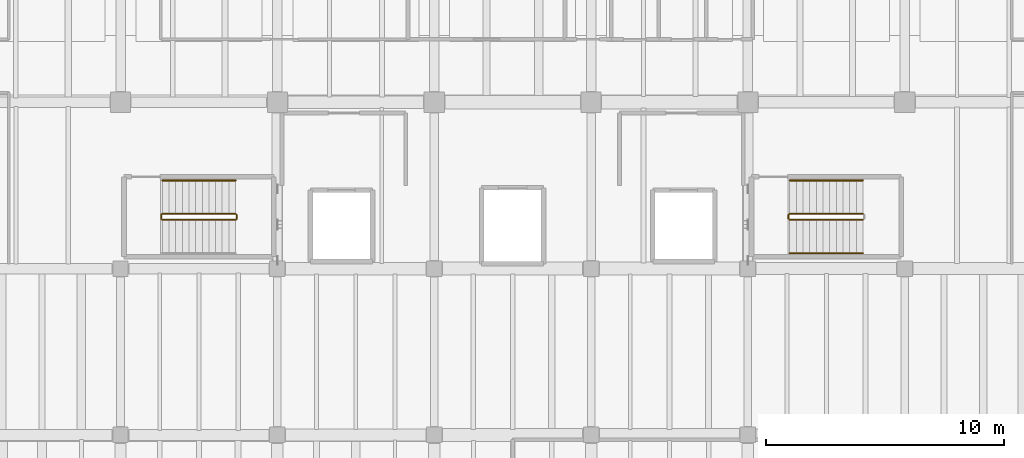
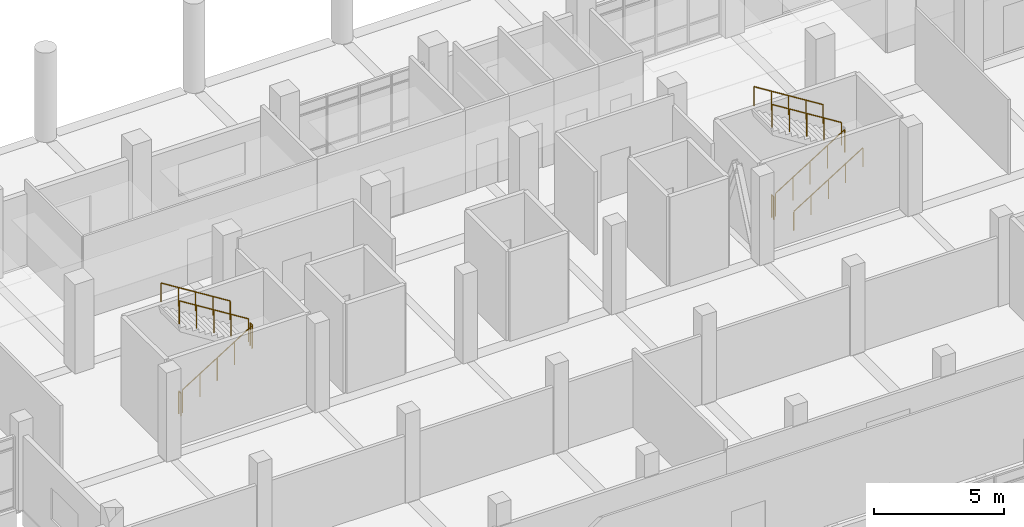
# One storey, part 65 of 69: 10 railings.
"""IFC4 building model written with IfcOpenShell, lengths in metres."""

from ifc_helpers import new_model, si_unit, direction, frame, origin, origin_2d, place, context, subcontext, project, spatial, circle, extrude, material, type_object, element, save


model = new_model("IFC4")

# Units and contexts
model_context = context("Model", 3, precision=1e-05, world=origin(), true_north=direction((0.0, 1.0)))
body_context = subcontext(model_context, "Body", "Model", "MODEL_VIEW")
ifc_project = project(units=[si_unit("LENGTHUNIT", "METRE"), si_unit("AREAUNIT", "SQUARE_METRE"), si_unit("VOLUMEUNIT", "CUBIC_METRE"), si_unit("PLANEANGLEUNIT", "RADIAN"), si_unit("MASSUNIT", "GRAM", prefix="KILO")], contexts=[model_context])

# Site, building, storey
site_placement = place(None, origin())
site = spatial("IfcSite", under=ifc_project, at=site_placement, CompositionType="ELEMENT")
building_placement = place(site_placement, origin())
building = spatial("IfcBuilding", under=site, at=building_placement, Name="Ciguamira Faculty of Natural Sciences", CompositionType="ELEMENT")
storey_placement = place(building_placement, origin())
storey = spatial("IfcBuildingStorey", under=building, at=storey_placement, Name="L00", CompositionType="ELEMENT", Elevation=0.0)

# Railings
ifc_material_1 = material(Name="Stainless steel balustrade", Category="steel")
railing_type_1 = type_object("IfcRailingType", Name="Guardrail_GR01", PredefinedType="GUARDRAIL", material=ifc_material_1)
railing_1_placement = place(storey_placement, frame((72.260009765625, 96.050048828125, 0.175048828125)))
element("IfcRailing", 1, at=railing_1_placement, inside=storey, type_object=railing_type_1, Name="L00 ST-T1 stair guard 1", PredefinedType="GUARDRAIL", context=body_context, shape_type="SweptSolid", body=[
    extrude(circle(Radius=0.02392578125, at=origin_2d()), frame((0.0, 0.0, 1.076171875), z_axis=(0.847998304005, 0.0, 0.529998940003), x_axis=(0.0, 1.0, 0.0)), (0.0, 0.0, 1.0), 3.632080078125),
    extrude(circle(Radius=0.02099609375, at=origin_2d()), origin(), (0.0, 0.0, 1.0), 1.052001953125),
    extrude(circle(Radius=0.02099609375, at=origin_2d()), frame((0.77001953125, 0.0, 0.481201171875)), (0.0, 0.0, 1.0), 1.052001953125),
    extrude(circle(Radius=0.02099609375, at=origin_2d()), frame((1.5400390625, 0.0, 0.96240234375)), (0.0, 0.0, 1.0), 1.052001953125),
    extrude(circle(Radius=0.02099609375, at=origin_2d()), frame((2.31005859375, 0.0, 1.44384765625)), (0.0, 0.0, 1.0), 1.052001953125),
    extrude(circle(Radius=0.02099609375, at=origin_2d()), frame((3.080078125, 0.0, 1.925048828125)), (0.0, 0.0, 1.0), 1.052001953125),
])
railing_2_placement = place(storey_placement, frame((75.389892578125, 96.10009765625, 2.10009765625)))
element("IfcRailing", 2, at=railing_2_placement, inside=storey, type_object=railing_type_1, Name="L00 ST-T1 stair guard 2", PredefinedType="GUARDRAIL", context=body_context, shape_type="SweptSolid", body=[
    extrude(circle(Radius=0.02392578125, at=origin_2d()), frame((0.0, 0.0, 1.076171875), z_axis=(0.0, 1.0, 0.0), x_axis=(-1.0, 0.0, 0.0)), (0.0, 0.0, 1.0), 0.159912109375),
    extrude(circle(Radius=0.02099609375, at=origin_2d()), origin(), (0.0, 0.0, 1.0), 1.052001953125),
    extrude(circle(Radius=0.02099609375, at=origin_2d()), frame((0.0, 0.159912109375, 0.0)), (0.0, 0.0, 1.0), 1.052001953125),
])
railing_3_placement = place(storey_placement, frame((75.340087890625, 96.31005859375, 2.27490234375)))
element("IfcRailing", 3, at=railing_3_placement, inside=storey, type_object=railing_type_1, Name="L00 ST-T1 stair guard 3", PredefinedType="GUARDRAIL", context=body_context, shape_type="SweptSolid", body=[
    extrude(circle(Radius=0.02392578125, at=origin_2d()), frame((0.0, 0.0, 1.076171875), z_axis=(-0.847998304005, 0.0, 0.529998940003), x_axis=(0.0, -1.0, 0.0)), (0.0, 0.0, 1.0), 3.632080078125),
    extrude(circle(Radius=0.02099609375, at=origin_2d()), origin(), (0.0, 0.0, 1.0), 1.052001953125),
    extrude(circle(Radius=0.02099609375, at=origin_2d()), frame((-0.77001953125, 0.0, 0.481201171875)), (0.0, 0.0, 1.0), 1.052001953125),
    extrude(circle(Radius=0.02099609375, at=origin_2d()), frame((-1.5400390625, 0.0, 0.96240234375)), (0.0, 0.0, 1.0), 1.052001953125),
    extrude(circle(Radius=0.02099609375, at=origin_2d()), frame((-2.31005859375, 0.0, 1.44384765625)), (0.0, 0.0, 1.0), 1.052001953125),
    extrude(circle(Radius=0.02099609375, at=origin_2d()), frame((-3.080078125, 0.0, 1.925048828125)), (0.0, 0.0, 1.0), 1.052001953125),
])
railing_4_placement = place(storey_placement, frame((72.2099609375, 96.10009765625, 0.0)))
element("IfcRailing", 4, at=railing_4_placement, inside=storey, type_object=railing_type_1, Name="L00 ST-T1 stair guard 4", PredefinedType="GUARDRAIL", context=body_context, shape_type="SweptSolid", body=[
    extrude(circle(Radius=0.02392578125, at=origin_2d()), frame((0.0, 0.0, 1.076171875), z_axis=(0.0, 1.0, 0.0), x_axis=(-1.0, 0.0, 0.0)), (0.0, 0.0, 1.0), 0.159912109375),
    extrude(circle(Radius=0.02099609375, at=origin_2d()), origin(), (0.0, 0.0, 1.0), 1.052001953125),
    extrude(circle(Radius=0.02099609375, at=origin_2d()), frame((0.0, 0.159912109375, 0.0)), (0.0, 0.0, 1.0), 1.052001953125),
])
railing_5_placement = place(storey_placement, frame((98.659912109375, 96.050048828125, 0.175048828125)))
element("IfcRailing", 5, at=railing_5_placement, inside=storey, type_object=railing_type_1, Name="L00 ST-T2 stair guard 1", PredefinedType="GUARDRAIL", context=body_context, shape_type="SweptSolid", body=[
    extrude(circle(Radius=0.02392578125, at=origin_2d()), frame((0.0, 0.0, 1.076171875), z_axis=(0.847998304005, 0.0, 0.529998940003), x_axis=(0.0, 1.0, 0.0)), (0.0, 0.0, 1.0), 3.632080078125),
    extrude(circle(Radius=0.02099609375, at=origin_2d()), origin(), (0.0, 0.0, 1.0), 1.052001953125),
    extrude(circle(Radius=0.02099609375, at=origin_2d()), frame((0.77001953125, 0.0, 0.481201171875)), (0.0, 0.0, 1.0), 1.052001953125),
    extrude(circle(Radius=0.02099609375, at=origin_2d()), frame((1.5400390625, 0.0, 0.96240234375)), (0.0, 0.0, 1.0), 1.052001953125),
    extrude(circle(Radius=0.02099609375, at=origin_2d()), frame((2.31005859375, 0.0, 1.44384765625)), (0.0, 0.0, 1.0), 1.052001953125),
    extrude(circle(Radius=0.02099609375, at=origin_2d()), frame((3.080078125, 0.0, 1.925048828125)), (0.0, 0.0, 1.0), 1.052001953125),
])
railing_6_placement = place(storey_placement, frame((101.739990234375, 96.31005859375, 2.27490234375)))
element("IfcRailing", 6, at=railing_6_placement, inside=storey, type_object=railing_type_1, Name="L00 ST-T2 stair guard 3", PredefinedType="GUARDRAIL", context=body_context, shape_type="SweptSolid", body=[
    extrude(circle(Radius=0.02392578125, at=origin_2d()), frame((0.0, 0.0, 1.076171875), z_axis=(-0.847998304005, 0.0, 0.529998940003), x_axis=(0.0, -1.0, 0.0)), (0.0, 0.0, 1.0), 3.632080078125),
    extrude(circle(Radius=0.02099609375, at=origin_2d()), origin(), (0.0, 0.0, 1.0), 1.052001953125),
    extrude(circle(Radius=0.02099609375, at=origin_2d()), frame((-0.77001953125, 0.0, 0.481201171875)), (0.0, 0.0, 1.0), 1.052001953125),
    extrude(circle(Radius=0.02099609375, at=origin_2d()), frame((-1.5400390625, 0.0, 0.96240234375)), (0.0, 0.0, 1.0), 1.052001953125),
    extrude(circle(Radius=0.02099609375, at=origin_2d()), frame((-2.31005859375, 0.0, 1.44384765625)), (0.0, 0.0, 1.0), 1.052001953125),
    extrude(circle(Radius=0.02099609375, at=origin_2d()), frame((-3.080078125, 0.0, 1.925048828125)), (0.0, 0.0, 1.0), 1.052001953125),
])
railing_7_placement = place(storey_placement, frame((98.610107421875, 96.10009765625, 0.0)))
element("IfcRailing", 7, at=railing_7_placement, inside=storey, type_object=railing_type_1, Name="L00 ST-T2 stair guard 4", PredefinedType="GUARDRAIL", context=body_context, shape_type="SweptSolid", body=[
    extrude(circle(Radius=0.02392578125, at=origin_2d()), frame((0.0, 0.0, 1.076171875), z_axis=(0.0, 1.0, 0.0), x_axis=(-1.0, 0.0, 0.0)), (0.0, 0.0, 1.0), 0.159912109375),
    extrude(circle(Radius=0.02099609375, at=origin_2d()), origin(), (0.0, 0.0, 1.0), 1.052001953125),
    extrude(circle(Radius=0.02099609375, at=origin_2d()), frame((0.0, 0.159912109375, 0.0)), (0.0, 0.0, 1.0), 1.052001953125),
])
ifc_material_2 = material(Name="Stainless steel handrail", Category="steel")
railing_type_2 = type_object("IfcRailingType", Name="Handrail_HR01", PredefinedType="HANDRAIL", material=ifc_material_2)
railing_8_placement = place(storey_placement, frame((75.340087890625, 97.7099609375, 2.449951171875)))
element("IfcRailing", 8, at=railing_8_placement, inside=storey, type_object=railing_type_2, Name="L00 ST-T1 stair handrail 2", PredefinedType="HANDRAIL", context=body_context, shape_type="SweptSolid", body=[
    extrude(circle(Radius=0.02392578125, at=origin_2d()), frame((0.0, 0.0, 0.89111328125), z_axis=(-0.847998304005, 0.0, 0.529998940003), x_axis=(0.0, -1.0, 0.0)), (0.0, 0.0, 1.0), 3.632080078125),
    extrude(circle(Radius=0.02099609375, at=origin_2d()), origin(), (0.0, 0.0, 1.0), 0.866943359375),
    extrude(circle(Radius=0.02099609375, at=origin_2d()), frame((-0.77001953125, 0.0, 0.481201171875)), (0.0, 0.0, 1.0), 0.866943359375),
    extrude(circle(Radius=0.02099609375, at=origin_2d()), frame((-1.5400390625, 0.0, 0.96240234375)), (0.0, 0.0, 1.0), 0.866943359375),
    extrude(circle(Radius=0.02099609375, at=origin_2d()), frame((-2.31005859375, 0.0, 1.44384765625)), (0.0, 0.0, 1.0), 0.866943359375),
    extrude(circle(Radius=0.02099609375, at=origin_2d()), frame((-3.080078125, 0.0, 1.925048828125)), (0.0, 0.0, 1.0), 0.866943359375),
])
railing_9_placement = place(storey_placement, frame((98.659912109375, 94.64990234375, 0.35009765625)))
element("IfcRailing", 9, at=railing_9_placement, inside=storey, type_object=railing_type_2, Name="L00 ST-T2 stair handrail 1", PredefinedType="HANDRAIL", context=body_context, shape_type="SweptSolid", body=[
    extrude(circle(Radius=0.02392578125, at=origin_2d()), frame((0.0, 0.0, 0.89111328125), z_axis=(0.848028513186, 0.0, 0.529950602248), x_axis=(0.0, 1.0, 0.0)), (0.0, 0.0, 1.0), 3.632080078125),
    extrude(circle(Radius=0.02099609375, at=origin_2d()), origin(), (0.0, 0.0, 1.0), 0.866943359375),
    extrude(circle(Radius=0.02099609375, at=origin_2d()), frame((0.77001953125, 0.0, 0.481201171875)), (0.0, 0.0, 1.0), 0.866943359375),
    extrude(circle(Radius=0.02099609375, at=origin_2d()), frame((1.5400390625, 0.0, 0.96240234375)), (0.0, 0.0, 1.0), 0.866943359375),
    extrude(circle(Radius=0.02099609375, at=origin_2d()), frame((2.31005859375, 0.0, 1.443603515625)), (0.0, 0.0, 1.0), 0.866943359375),
    extrude(circle(Radius=0.02099609375, at=origin_2d()), frame((3.080078125, 0.0, 1.9248046875)), (0.0, 0.0, 1.0), 0.866943359375),
])
railing_10_placement = place(storey_placement, frame((101.739990234375, 97.7099609375, 2.449951171875)))
element("IfcRailing", 10, at=railing_10_placement, inside=storey, type_object=railing_type_2, Name="L00 ST-T2 stair handrail 2", PredefinedType="HANDRAIL", context=body_context, shape_type="SweptSolid", body=[
    extrude(circle(Radius=0.02392578125, at=origin_2d()), frame((0.0, 0.0, 0.89111328125), z_axis=(-0.847998304005, 0.0, 0.529998940003), x_axis=(0.0, -1.0, 0.0)), (0.0, 0.0, 1.0), 3.632080078125),
    extrude(circle(Radius=0.02099609375, at=origin_2d()), origin(), (0.0, 0.0, 1.0), 0.866943359375),
    extrude(circle(Radius=0.02099609375, at=origin_2d()), frame((-0.77001953125, 0.0, 0.481201171875)), (0.0, 0.0, 1.0), 0.866943359375),
    extrude(circle(Radius=0.02099609375, at=origin_2d()), frame((-1.5400390625, 0.0, 0.96240234375)), (0.0, 0.0, 1.0), 0.866943359375),
    extrude(circle(Radius=0.02099609375, at=origin_2d()), frame((-2.31005859375, 0.0, 1.44384765625)), (0.0, 0.0, 1.0), 0.866943359375),
    extrude(circle(Radius=0.02099609375, at=origin_2d()), frame((-3.080078125, 0.0, 1.925048828125)), (0.0, 0.0, 1.0), 0.866943359375),
])

save(model, "model.ifc")
